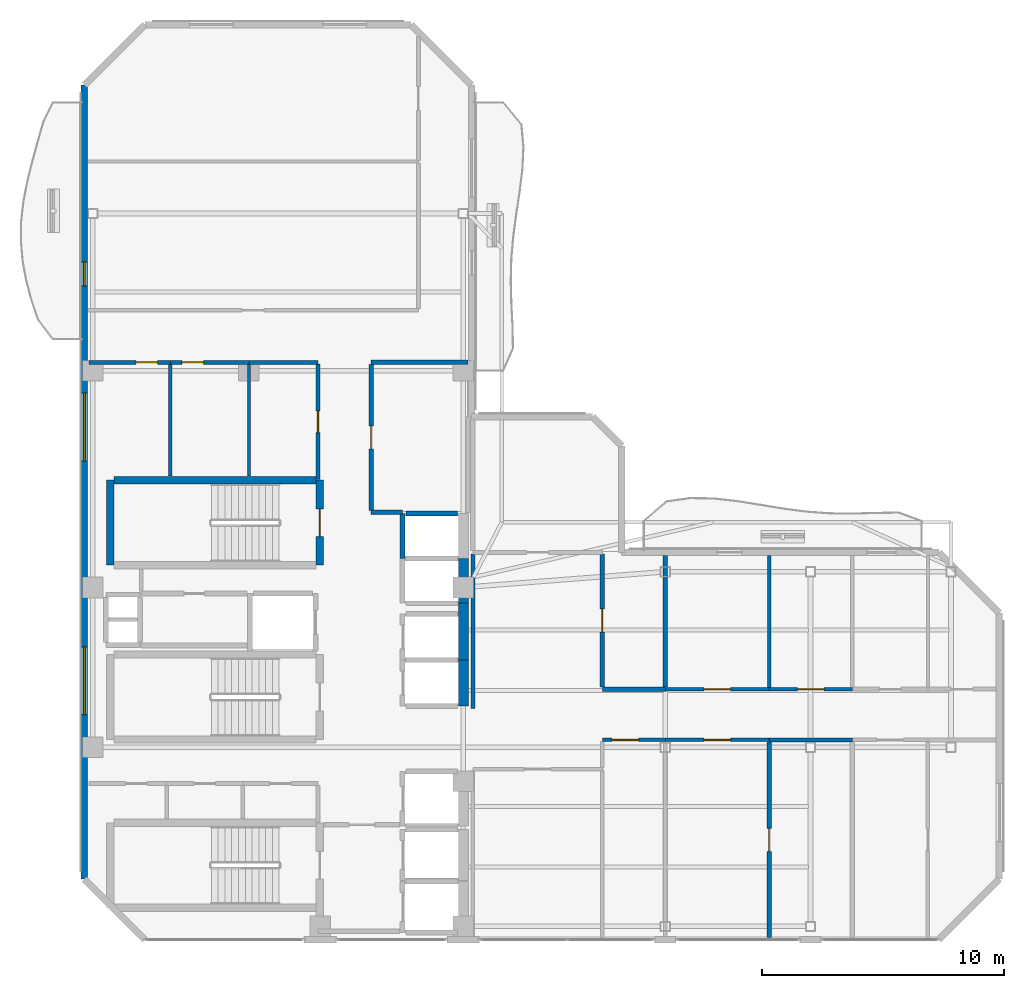
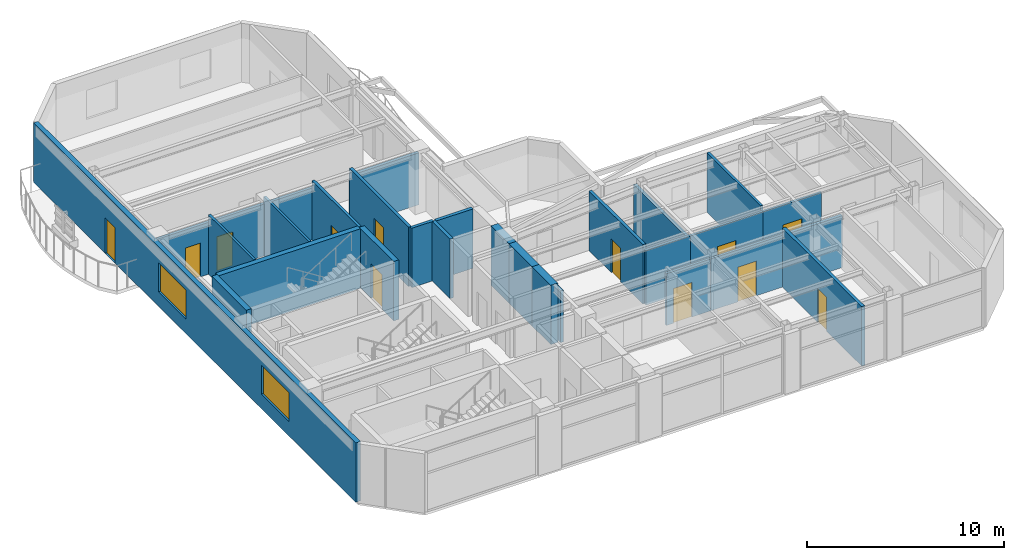
# One storey, part 10 of 15: 29 walls, 12 doors, 2 windows, 14 openings.
"""IFC4 building model written with IfcOpenShell, lengths in metres."""

from ifc_helpers import new_model, si_unit, direction, frame, frame_2d, origin, place, context, subcontext, project, spatial, rectangle, extrude, material, layer, layer_set, type_object, element, fill, save


model = new_model("IFC4")

# Units and contexts
model_context = context("Model", 3, precision=1e-05, world=origin(), true_north=direction((0.0, 1.0)))
body_context = subcontext(model_context, "Body", "Model", "MODEL_VIEW")
ifc_project = project(units=[si_unit("LENGTHUNIT", "METRE"), si_unit("AREAUNIT", "SQUARE_METRE"), si_unit("VOLUMEUNIT", "CUBIC_METRE"), si_unit("PLANEANGLEUNIT", "RADIAN"), si_unit("MASSUNIT", "GRAM", prefix="KILO")], contexts=[model_context])

# Site, building, storey
site_placement = place(None, origin())
site = spatial("IfcSite", under=ifc_project, at=site_placement, CompositionType="ELEMENT")
building_placement = place(site_placement, origin())
building = spatial("IfcBuilding", under=site, at=building_placement, Name="Mawjaban Terraces University", CompositionType="ELEMENT")
storey_placement = place(building_placement, frame((0.0, 0.0, 279.39990234375)))
storey = spatial("IfcBuildingStorey", under=building, at=storey_placement, Name="L68", CompositionType="ELEMENT", Elevation=279.39990234375)

# Walls
ifc_material_1 = material(Name="Acoustic masonry blockwork", Category="masonry")
ifc_layer_1 = layer(ifc_material_1, 0.179931640625)
ifc_layer_set_1 = layer_set([ifc_layer_1], Name="Acoustic masonry blockwork")
wall_type_1 = type_object("IfcWallType", Name="AcousticStudioWall_180", PredefinedType="PARTITIONING", material=ifc_layer_set_1)
wall_1_placement = place(storey_placement, frame((33.85009765625, 17.64990234375, 0.0), z_axis=(0.0, 0.0, 1.0), x_axis=(1.0, 0.0, 0.0)))
element("IfcWall", 1, at=wall_1_placement, inside=storey, type_object=wall_type_1, Name="L68 Graduate Research Collaboration Studio Partition 10", PredefinedType="PARTITIONING", context=body_context, shape_type="SweptSolid", body=[
    extrude(rectangle(XDim=1.2998046875, YDim=0.179931640625, at=frame_2d((0.64990234375, 0.0))), origin(), (0.0, 0.0, 1.0), 3.690185546875),
])
wall_2_placement = place(storey_placement, frame((37.85009765625, 23.85009765625, 0.0), z_axis=(0.0, 0.0, 1.0), x_axis=(-1.0, 0.0, 0.0)))
element("IfcWall", 2, at=wall_2_placement, inside=storey, type_object=wall_type_1, Name="L68 Graduate Research Collaboration Studio Partition 14", PredefinedType="PARTITIONING", context=body_context, shape_type="SweptSolid", body=[
    extrude(rectangle(XDim=4.0, YDim=0.179931640625, at=frame_2d((2.0, 0.0))), origin(), (0.0, 0.0, 1.0), 3.22119140625),
])
wall_3_placement = place(storey_placement, frame((46.0, 10.35009765625, 0.0), z_axis=(0.0, 0.0, 1.0), x_axis=(-1.0, 0.0, 0.0)))
element("IfcWall", 3, at=wall_3_placement, inside=storey, type_object=wall_type_1, Name="L68 Upper East Research Corridor Partition 19", PredefinedType="PARTITIONING", context=body_context, shape_type="SweptSolid", body=[
    extrude(rectangle(XDim=2.60009765625, YDim=0.179931640625, at=frame_2d((1.300048828125, 0.0))), origin(), (0.0, 0.0, 1.0), 3.3720703125),
])
wall_4_placement = place(storey_placement, frame((50.2900390625, 8.25, 0.0), z_axis=(0.0, 0.0, 1.0), x_axis=(1.0, 0.0, 0.0)))
element("IfcWall", 4, at=wall_4_placement, inside=storey, type_object=wall_type_1, Name="L68 Upper East Research Corridor Partition 20", PredefinedType="PARTITIONING", context=body_context, shape_type="SweptSolid", body=[
    extrude(rectangle(XDim=3.43994140625, YDim=0.179931640625, at=frame_2d((1.719970703125, 0.0))), origin(), (0.0, 0.0, 1.0), 3.22119140625),
])

# Wall, opening, door
wall_5_placement = place(storey_placement, frame((33.85009765625, 17.735107421875, 0.0), z_axis=(0.0, 0.0, 1.0), x_axis=(0.0, 1.0, 0.0)))
wall_5 = element("IfcWall", 5, at=wall_5_placement, inside=storey, type_object=wall_type_1, Name="L68 Core North Lift Lobby Partition 34", PredefinedType="PARTITIONING", context=body_context, shape_type="SweptSolid", body=[
    extrude(rectangle(XDim=6.02978515625, YDim=0.179931640625, at=frame_2d((3.014892578125, 0.0))), origin(), (0.0, 0.0, 1.0), 3.690185546875),
])
opening_1_placement = place(wall_5_placement, frame((2.5400390625, 0.0, 0.0)))
opening_1 = element("IfcOpeningElement", 6, at=opening_1_placement, cuts=wall_5, Name="Opening ID-095", PredefinedType="OPENING", context=body_context, shape_type="SweptSolid", body=[
    extrude(rectangle(XDim=0.949951171875, YDim=2.10009765625, at=frame_2d((0.47509765625, 1.050048828125))), frame((0.0, 0.099853515625, 0.0), z_axis=(0.0, -1.0, 0.0), x_axis=(1.0, 0.0, 0.0)), (0.0, 0.0, 1.0), 0.199951171875),
])
ifc_material_2 = material(Name="Powder-coated steel frame and solid acoustic timber leaf", Category="steel")
door_type_1 = type_object("IfcDoorType", Name="StudioDoor_950x2100", OperationType="NOTDEFINED", PredefinedType="DOOR", material=ifc_material_2)
door_1_placement = place(opening_1_placement, origin())
door_1 = element("IfcDoor", 7, at=door_1_placement, inside=storey, type_object=door_type_1, Name="L68 Graduate Research Collaboration Studio Door", OperationType="SINGLE_SWING_RIGHT", OverallHeight=2.10009765625, OverallWidth=0.949951171875, PredefinedType="DOOR", context=body_context, shape_type="SweptSolid", body=[
    extrude(rectangle(XDim=0.949951171875, YDim=2.10009765625, at=frame_2d((0.47509765625, 1.050048828125))), frame((0.0, 0.02490234375, 0.0), z_axis=(0.0, -1.0, 0.0), x_axis=(1.0, 0.0, 0.0)), (0.0, 0.0, 1.0), 0.050048828125),
])
fill(opening_1, door_1)

wall_6_placement = place(storey_placement, frame((43.39990234375, 10.43505859375, 0.0), z_axis=(0.0, 0.0, 1.0), x_axis=(0.0, 1.0, 0.0)))
wall_6 = element("IfcWall", 8, at=wall_6_placement, inside=storey, type_object=wall_type_1, Name="L68 Upper Research Hub Concourse Partition 43", PredefinedType="PARTITIONING", context=body_context, shape_type="SweptSolid", body=[
    extrude(rectangle(XDim=5.489990234375, YDim=0.179931640625, at=frame_2d((2.7451171875, 0.0))), origin(), (0.0, 0.0, 1.0), 3.690185546875),
])
opening_2_placement = place(wall_6_placement, frame((2.27001953125, 0.0, 0.0)))
opening_2 = element("IfcOpeningElement", 9, at=opening_2_placement, cuts=wall_6, Name="Opening ID-095", PredefinedType="OPENING", context=body_context, shape_type="SweptSolid", body=[
    extrude(rectangle(XDim=0.949951171875, YDim=2.10009765625, at=frame_2d((0.47509765625, 1.050048828125))), frame((0.0, 0.099853515625, 0.0), z_axis=(0.0, -1.0, 0.0), x_axis=(1.0, 0.0, 0.0)), (0.0, 0.0, 1.0), 0.199951171875),
])
door_2_placement = place(opening_2_placement, origin())
door_2 = element("IfcDoor", 10, at=door_2_placement, inside=storey, type_object=door_type_1, Name="L68 Design Studio 3 Door", OperationType="SINGLE_SWING_RIGHT", OverallHeight=2.10009765625, OverallWidth=0.949951171875, PredefinedType="DOOR", context=body_context, shape_type="SweptSolid", body=[
    extrude(rectangle(XDim=0.949951171875, YDim=2.10009765625, at=frame_2d((0.47509765625, 1.050048828125))), frame((0.0, 0.02490234375, 0.0), z_axis=(0.0, -1.0, 0.0), x_axis=(1.0, 0.0, 0.0)), (0.0, 0.0, 1.0), 0.050048828125),
])
fill(opening_2, door_2)

# Wall
wall_7_placement = place(storey_placement, frame((46.0, 10.43505859375, 0.0), z_axis=(0.0, 0.0, 1.0), x_axis=(0.0, 1.0, 0.0)))
element("IfcWall", 11, at=wall_7_placement, inside=storey, type_object=wall_type_1, Name="L68 Design Studio 3 Partition 45", PredefinedType="PARTITIONING", context=body_context, shape_type="SweptSolid", body=[
    extrude(rectangle(XDim=5.431884765625, YDim=0.179931640625, at=frame_2d((2.7158203125, 0.0))), origin(), (0.0, 0.0, 1.0), 3.22119140625),
])

# Wall, opening, door
wall_8_placement = place(storey_placement, frame((50.2900390625, 0.090087890625, 0.0), z_axis=(0.0, 0.0, 1.0), x_axis=(0.0, 1.0, 0.0)))
wall_8 = element("IfcWall", 12, at=wall_8_placement, inside=storey, type_object=wall_type_1, Name="L68 Computational Laboratory 4 Partition 46", PredefinedType="PARTITIONING", context=body_context, shape_type="SweptSolid", body=[
    extrude(rectangle(XDim=8.074951171875, YDim=0.179931640625, at=frame_2d((4.03759765625, 0.0))), origin(), (0.0, 0.0, 1.0), 3.690185546875),
])
opening_3_placement = place(wall_8_placement, frame((3.56201171875, 0.0, 0.0)))
opening_3 = element("IfcOpeningElement", 13, at=opening_3_placement, cuts=wall_8, Name="Opening ID-095", PredefinedType="OPENING", context=body_context, shape_type="SweptSolid", body=[
    extrude(rectangle(XDim=0.949951171875, YDim=2.10009765625, at=frame_2d((0.47509765625, 1.050048828125))), frame((0.0, 0.099853515625, 0.0), z_axis=(0.0, -1.0, 0.0), x_axis=(1.0, 0.0, 0.0)), (0.0, 0.0, 1.0), 0.199951171875),
])
door_3_placement = place(opening_3_placement, origin())
door_3 = element("IfcDoor", 14, at=door_3_placement, inside=storey, type_object=door_type_1, Name="L68 Design Studio 6 Door", OperationType="SINGLE_SWING_LEFT", OverallHeight=2.10009765625, OverallWidth=0.949951171875, PredefinedType="DOOR", context=body_context, shape_type="SweptSolid", body=[
    extrude(rectangle(XDim=0.949951171875, YDim=2.10009765625, at=frame_2d((0.47509765625, 1.050048828125))), frame((0.0, 0.02490234375, 0.0), z_axis=(0.0, -1.0, 0.0), x_axis=(1.0, 0.0, 0.0)), (0.0, 0.0, 1.0), 0.050048828125),
])
fill(opening_3, door_3)

# Walls
ifc_material_3 = material(Name="Concrete C50/60", Category="concrete")
ifc_layer_2 = layer(ifc_material_3, 0.419921875)
ifc_layer_set_2 = layer_set([ifc_layer_2], Name="Concrete C50/60")
wall_type_2 = type_object("IfcWallType", Name="CoreShearWall_420", PredefinedType="SHEAR", material=ifc_layer_set_2)
wall_9_placement = place(storey_placement, frame((37.659912109375, 9.64990234375, 0.0), z_axis=(0.0, 0.0, 1.0), x_axis=(0.0, 1.0, 0.0)))
element("IfcWall", 15, at=wall_9_placement, inside=storey, type_object=wall_type_2, Name="L68 Lift PL-H1 Hoistway Wall East", PredefinedType="SHEAR", context=body_context, shape_type="SweptSolid", body=[
    extrude(rectangle(XDim=1.900146484375, YDim=0.419921875, at=frame_2d((0.9501953125, 0.0))), origin(), (0.0, 0.0, 1.0), 3.690185546875),
])
wall_10_placement = place(storey_placement, frame((37.659912109375, 11.550048828125, 0.0), z_axis=(0.0, 0.0, 1.0), x_axis=(0.0, 1.0, 0.0)))
element("IfcWall", 16, at=wall_10_placement, inside=storey, type_object=wall_type_2, Name="L68 Lift PL-H2 Hoistway Wall East", PredefinedType="SHEAR", context=body_context, shape_type="SweptSolid", body=[
    extrude(rectangle(XDim=2.349853515625, YDim=0.419921875, at=frame_2d((1.1748046875, 0.0))), origin(), (0.0, 0.0, 1.0), 3.690185546875),
])
wall_11_placement = place(storey_placement, frame((37.659912109375, 13.89990234375, 0.0), z_axis=(0.0, 0.0, 1.0), x_axis=(0.0, 1.0, 0.0)))
element("IfcWall", 17, at=wall_11_placement, inside=storey, type_object=wall_type_2, Name="L68 Lift OL-1 Hoistway Wall East", PredefinedType="SHEAR", context=body_context, shape_type="SweptSolid", body=[
    extrude(rectangle(XDim=1.85009765625, YDim=0.419921875, at=frame_2d((0.925048828125, 0.0))), origin(), (0.0, 0.0, 1.0), 3.690185546875),
])

# Wall, opening, door
ifc_material_4 = material(Name="Fire-rated gypsum board on steel stud", Category="steel")
ifc_layer_3 = layer(ifc_material_4, 0.159912109375)
ifc_layer_set_3 = layer_set([ifc_layer_3], Name="Fire-rated gypsum board on steel stud")
wall_type_3 = type_object("IfcWallType", Name="CorridorPartition_160", PredefinedType="PARTITIONING", material=ifc_layer_set_3)
wall_12_placement = place(storey_placement, frame((25.550048828125, 23.85009765625, 0.0), z_axis=(0.0, 0.0, 1.0), x_axis=(-1.0, 0.0, 0.0)))
wall_12 = element("IfcWall", 18, at=wall_12_placement, inside=storey, type_object=wall_type_3, Name="L68 Ablution Room Partition 5", PredefinedType="PARTITIONING", context=body_context, shape_type="SweptSolid", body=[
    extrude(rectangle(XDim=3.35009765625, YDim=0.159912109375, at=frame_2d((1.675048828125, 0.0))), origin(), (0.0, 0.0, 1.0), 3.22119140625),
])
opening_4_placement = place(wall_12_placement, frame((0.534912109375, 0.0, 0.0)))
opening_4 = element("IfcOpeningElement", 19, at=opening_4_placement, cuts=wall_12, Name="Opening ID-088", PredefinedType="OPENING", context=body_context, shape_type="SweptSolid", body=[
    extrude(rectangle(XDim=0.8798828125, YDim=2.10009765625, at=frame_2d((0.43994140625, 1.050048828125))), frame((0.0, 0.08984375, 0.0), z_axis=(0.0, -1.0, 0.0), x_axis=(1.0, 0.0, 0.0)), (0.0, 0.0, 1.0), 0.179931640625),
])
door_type_2 = type_object("IfcDoorType", Name="ToiletDoor_880x2100", OperationType="NOTDEFINED", PredefinedType="DOOR", material=ifc_material_2)
door_4_placement = place(opening_4_placement, origin())
door_4 = element("IfcDoor", 20, at=door_4_placement, inside=storey, type_object=door_type_2, Name="L68 Ablution Room Door", OperationType="SINGLE_SWING_RIGHT", OverallHeight=2.10009765625, OverallWidth=0.8798828125, PredefinedType="DOOR", context=body_context, shape_type="SweptSolid", body=[
    extrude(rectangle(XDim=0.8798828125, YDim=2.10009765625, at=frame_2d((0.43994140625, 1.050048828125))), frame((0.0, 0.02490234375, 0.0), z_axis=(0.0, -1.0, 0.0), x_axis=(1.0, 0.0, 0.0)), (0.0, 0.0, 1.0), 0.050048828125),
])
fill(opening_4, door_4)

wall_13_placement = place(storey_placement, frame((28.800048828125, 23.85009765625, 0.0), z_axis=(0.0, 0.0, 1.0), x_axis=(-1.0, 0.0, 0.0)))
wall_13 = element("IfcWall", 21, at=wall_13_placement, inside=storey, type_object=wall_type_3, Name="L68 Cleaner Store Partition 7", PredefinedType="PARTITIONING", context=body_context, shape_type="SweptSolid", body=[
    extrude(rectangle(XDim=3.25, YDim=0.159912109375, at=frame_2d((1.625, 0.0))), origin(), (0.0, 0.0, 1.0), 3.22119140625),
])
opening_5_placement = place(wall_13_placement, frame((1.875, 0.0, 0.0)))
opening_5 = element("IfcOpeningElement", 22, at=opening_5_placement, cuts=wall_13, Name="Opening ID-090", PredefinedType="OPENING", context=body_context, shape_type="SweptSolid", body=[
    extrude(rectangle(XDim=0.89990234375, YDim=2.10009765625, at=frame_2d((0.449951171875, 1.050048828125))), frame((0.0, 0.08984375, 0.0), z_axis=(0.0, -1.0, 0.0), x_axis=(1.0, 0.0, 0.0)), (0.0, 0.0, 1.0), 0.179931640625),
])
door_type_3 = type_object("IfcDoorType", Name="OfficeDoor_900x2100", OperationType="NOTDEFINED", PredefinedType="DOOR", material=ifc_material_2)
door_5_placement = place(opening_5_placement, origin())
door_5 = element("IfcDoor", 23, at=door_5_placement, inside=storey, type_object=door_type_3, Name="L68 Cleaner Store Door", OperationType="SINGLE_SWING_LEFT", OverallHeight=2.10009765625, OverallWidth=0.89990234375, PredefinedType="DOOR", context=body_context, shape_type="SweptSolid", body=[
    extrude(rectangle(XDim=0.89990234375, YDim=2.10009765625, at=frame_2d((0.449951171875, 1.050048828125))), frame((0.0, 0.02490234375, 0.0), z_axis=(0.0, -1.0, 0.0), x_axis=(1.0, 0.0, 0.0)), (0.0, 0.0, 1.0), 0.050048828125),
])
fill(opening_5, door_5)

# Wall
wall_14_placement = place(storey_placement, frame((31.64990234375, 23.85009765625, 0.0), z_axis=(0.0, 0.0, 1.0), x_axis=(-1.0, 0.0, 0.0)))
element("IfcWall", 24, at=wall_14_placement, inside=storey, type_object=wall_type_3, Name="L68 Faculty Academic Resource Office Partition 9", PredefinedType="PARTITIONING", context=body_context, shape_type="SweptSolid", body=[
    extrude(rectangle(XDim=2.849853515625, YDim=0.159912109375, at=frame_2d((1.4248046875, 0.0))), origin(), (0.0, 0.0, 1.0), 3.22119140625),
])

# Wall, opening, door
wall_15_placement = place(storey_placement, frame((31.64990234375, 19.010009765625, 0.0), z_axis=(0.0, 0.0, 1.0), x_axis=(0.0, 1.0, 0.0)))
wall_15 = element("IfcWall", 25, at=wall_15_placement, inside=storey, type_object=wall_type_3, Name="L68 Faculty Academic Resource Office Partition 33", PredefinedType="PARTITIONING", context=body_context, shape_type="SweptSolid", body=[
    extrude(rectangle(XDim=4.764892578125, YDim=0.159912109375, at=frame_2d((2.38232421875, 0.0))), origin(), (0.0, 0.0, 1.0), 3.690185546875),
])
opening_6_placement = place(wall_15_placement, frame((1.931884765625, 0.0, 0.0)))
opening_6 = element("IfcOpeningElement", 26, at=opening_6_placement, cuts=wall_15, Name="Opening ID-090", PredefinedType="OPENING", context=body_context, shape_type="SweptSolid", body=[
    extrude(rectangle(XDim=0.89990234375, YDim=2.10009765625, at=frame_2d((0.449951171875, 1.050048828125))), frame((0.0, 0.08984375, 0.0), z_axis=(0.0, -1.0, 0.0), x_axis=(1.0, 0.0, 0.0)), (0.0, 0.0, 1.0), 0.179931640625),
])
door_6_placement = place(opening_6_placement, origin())
door_6 = element("IfcDoor", 27, at=door_6_placement, inside=storey, type_object=door_type_3, Name="L68 Faculty Academic Resource Office Door", OperationType="SINGLE_SWING_LEFT", OverallHeight=2.10009765625, OverallWidth=0.89990234375, PredefinedType="DOOR", context=body_context, shape_type="SweptSolid", body=[
    extrude(rectangle(XDim=0.89990234375, YDim=2.10009765625, at=frame_2d((0.449951171875, 1.050048828125))), frame((0.0, 0.02490234375, 0.0), z_axis=(0.0, -1.0, 0.0), x_axis=(1.0, 0.0, 0.0)), (0.0, 0.0, 1.0), 0.050048828125),
])
fill(opening_6, door_6)

# Wall
wall_16_placement = place(storey_placement, frame((38.050048828125, 15.925048828125, 0.0), z_axis=(0.0, 0.0, 1.0), x_axis=(0.0, -1.0, 0.0)))
element("IfcWall", 28, at=wall_16_placement, inside=storey, type_object=wall_type_3, Name="L68 Upper Research Hub Concourse Partition 39", PredefinedType="PARTITIONING", context=body_context, shape_type="SweptSolid", body=[
    extrude(rectangle(XDim=6.375, YDim=0.159912109375, at=frame_2d((3.1875, 0.0))), origin(), (0.0, 0.0, 1.0), 3.22119140625),
])

# Wall, openings, door, windows
ifc_material_5 = material(Name="Insulated terracotta rainscreen on concrete backup C40/50", Category="masonry")
ifc_layer_4 = layer(ifc_material_5, 0.27490234375)
ifc_layer_set_4 = layer_set([ifc_layer_4], Name="Insulated terracotta rainscreen on concrete backup C40/50")
wall_type_4 = type_object("IfcWallType", Name="ExtTerracottaWall_275", PredefinedType="SOLIDWALL", material=ifc_layer_set_4)
wall_17_placement = place(storey_placement, frame((22.0, 35.300048828125, 0.0), z_axis=(0.0, 0.0, 1.0), x_axis=(0.0, -1.0, 0.0)))
wall_17 = element("IfcWall", 29, at=wall_17_placement, inside=storey, type_object=wall_type_4, Name="L68 Exterior Terracotta Wall 13", PredefinedType="SOLIDWALL", context=body_context, shape_type="SweptSolid", body=[
    extrude(rectangle(XDim=32.800048828125, YDim=0.27490234375, at=frame_2d((16.39990234375, 0.0))), origin(), (0.0, 0.0, 1.0), 3.690185546875),
])
opening_7_placement = place(wall_17_placement, frame((7.300048828125, 0.0, 0.0)))
opening_7 = element("IfcOpeningElement", 30, at=opening_7_placement, cuts=wall_17, Name="Opening BD-100", PredefinedType="OPENING", context=body_context, shape_type="SweptSolid", body=[
    extrude(rectangle(XDim=1.0, YDim=2.199951171875, at=frame_2d((0.5, 1.10009765625))), frame((0.0, 0.1474609375, 0.0), z_axis=(0.0, -1.0, 0.0), x_axis=(1.0, 0.0, 0.0)), (0.0, 0.0, 1.0), 0.294921875),
])
opening_8_placement = place(wall_17_placement, frame((12.717041015625, 0.0, 0.89990234375)))
opening_8 = element("IfcOpeningElement", 31, at=opening_8_placement, cuts=wall_17, Name="Opening W-09", PredefinedType="OPENING", context=body_context, shape_type="SweptSolid", body=[
    extrude(rectangle(XDim=2.800048828125, YDim=1.800048828125, at=frame_2d((1.39990234375, 0.89990234375))), frame((0.0, 0.1474609375, 0.0), z_axis=(0.0, -1.0, 0.0), x_axis=(1.0, 0.0, 0.0)), (0.0, 0.0, 1.0), 0.294921875),
])
opening_9_placement = place(wall_17_placement, frame((23.199951171875, 0.0, 0.89990234375)))
opening_9 = element("IfcOpeningElement", 32, at=opening_9_placement, cuts=wall_17, Name="Opening W-09", PredefinedType="OPENING", context=body_context, shape_type="SweptSolid", body=[
    extrude(rectangle(XDim=2.800048828125, YDim=1.800048828125, at=frame_2d((1.39990234375, 0.89990234375))), frame((0.0, 0.1474609375, 0.0), z_axis=(0.0, -1.0, 0.0), x_axis=(1.0, 0.0, 0.0)), (0.0, 0.0, 1.0), 0.294921875),
])
ifc_material_6 = material(Name="Thermally broken anodised aluminium and laminated safety glass", Category="aluminium")
door_type_4 = type_object("IfcDoorType", Name="BalconyGlazedDoor_1000x2200", OperationType="NOTDEFINED", PredefinedType="DOOR", material=ifc_material_6)
door_7_placement = place(opening_7_placement, origin())
door_7 = element("IfcDoor", 33, at=door_7_placement, inside=storey, type_object=door_type_4, Name="L68 Balcony Access Door west", OperationType="SINGLE_SWING_LEFT", OverallHeight=2.199951171875, OverallWidth=1.0, PredefinedType="DOOR", context=body_context, shape_type="SweptSolid", body=[
    extrude(rectangle(XDim=1.0, YDim=2.199951171875, at=frame_2d((0.5, 1.10009765625))), frame((0.0, 0.02490234375, 0.0), z_axis=(0.0, -1.0, 0.0), x_axis=(1.0, 0.0, 0.0)), (0.0, 0.0, 1.0), 0.050048828125),
])
fill(opening_7, door_7)
ifc_material_7 = material(Name="Low-E solar-control double glazing in thermally broken aluminium frame", Category="aluminium")
window_type = type_object("IfcWindowType", Name="Win_2800x1800", PartitioningType="SINGLE_PANEL", PredefinedType="WINDOW", material=ifc_material_7)
window_1_placement = place(opening_8_placement, origin())
window_1 = element("IfcWindow", 34, at=window_1_placement, inside=storey, type_object=window_type, Name="L68 Facade Window 13.3", OverallHeight=1.800048828125, OverallWidth=2.800048828125, PartitioningType="SINGLE_PANEL", PredefinedType="WINDOW", context=body_context, shape_type="SweptSolid", body=[
    extrude(rectangle(XDim=2.800048828125, YDim=1.800048828125, at=frame_2d((1.39990234375, 0.89990234375))), frame((0.0, 0.030029296875, 0.0), z_axis=(0.0, -1.0, 0.0), x_axis=(1.0, 0.0, 0.0)), (0.0, 0.0, 1.0), 0.06005859375),
])
fill(opening_8, window_1)
window_2_placement = place(opening_9_placement, origin())
window_2 = element("IfcWindow", 35, at=window_2_placement, inside=storey, type_object=window_type, Name="L68 Facade Window 13.5", OverallHeight=1.800048828125, OverallWidth=2.800048828125, PartitioningType="SINGLE_PANEL", PredefinedType="WINDOW", context=body_context, shape_type="SweptSolid", body=[
    extrude(rectangle(XDim=2.800048828125, YDim=1.800048828125, at=frame_2d((1.39990234375, 0.89990234375))), frame((0.0, 0.030029296875, 0.0), z_axis=(0.0, -1.0, 0.0), x_axis=(1.0, 0.0, 0.0)), (0.0, 0.0, 1.0), 0.06005859375),
])
fill(opening_9, window_2)

# Walls
ifc_material_8 = material(Name="Concrete C40/50", Category="concrete")
ifc_layer_5 = layer(ifc_material_8, 0.199951171875)
ifc_layer_set_5 = layer_set([ifc_layer_5], Name="Concrete C40/50")
wall_type_5 = type_object("IfcWallType", Name="FireLobbyWall_200", PredefinedType="SOLIDWALL", material=ifc_layer_set_5)
wall_18_placement = place(storey_placement, frame((35.14990234375, 17.60009765625, 0.0), z_axis=(0.0, 0.0, 1.0), x_axis=(0.0, -1.0, 0.0)))
element("IfcWall", 36, at=wall_18_placement, inside=storey, type_object=wall_type_5, Name="L68 Lift OL-2 Hoistway Wall West", PredefinedType="SOLIDWALL", context=body_context, shape_type="SweptSolid", body=[
    extrude(rectangle(XDim=1.85009765625, YDim=0.199951171875, at=frame_2d((0.925048828125, 0.0))), origin(), (0.0, 0.0, 1.0), 3.690185546875),
])
wall_19_placement = place(storey_placement, frame((37.419921875, 17.60009765625, 0.0), z_axis=(0.0, 0.0, 1.0), x_axis=(-1.0, 0.0, 0.0)))
element("IfcWall", 37, at=wall_19_placement, inside=storey, type_object=wall_type_5, Name="L68 Lift OL-2 Hoistway Wall North", PredefinedType="SOLIDWALL", context=body_context, shape_type="SweptSolid", body=[
    extrude(rectangle(XDim=2.139892578125, YDim=0.199951171875, at=frame_2d((1.06982421875, 0.0))), origin(), (0.0, 0.0, 1.0), 3.690185546875),
])

# Wall, opening, door
ifc_material_9 = material(Name="Moisture-resistant gypsum board on steel stud", Category="steel")
ifc_layer_6 = layer(ifc_material_9, 0.14501953125)
ifc_layer_set_6 = layer_set([ifc_layer_6], Name="Moisture-resistant gypsum board on steel stud")
wall_type_6 = type_object("IfcWallType", Name="LabPartition_145", PredefinedType="PARTITIONING", material=ifc_layer_set_6)
wall_20_placement = place(storey_placement, frame((43.39990234375, 8.25, 0.0), z_axis=(0.0, 0.0, 1.0), x_axis=(1.0, 0.0, 0.0)))
wall_20 = element("IfcWall", 38, at=wall_20_placement, inside=storey, type_object=wall_type_6, Name="L68 Upper East Research Corridor Partition 16", PredefinedType="PARTITIONING", context=body_context, shape_type="SweptSolid", body=[
    extrude(rectangle(XDim=2.60009765625, YDim=0.14501953125, at=frame_2d((1.300048828125, 0.0))), origin(), (0.0, 0.0, 1.0), 3.22119140625),
])
opening_10_placement = place(wall_20_placement, frame((0.39990234375, 0.0, 0.0)))
opening_10 = element("IfcOpeningElement", 39, at=opening_10_placement, cuts=wall_20, Name="Opening ID-110", PredefinedType="OPENING", context=body_context, shape_type="SweptSolid", body=[
    extrude(rectangle(XDim=1.10009765625, YDim=2.14990234375, at=frame_2d((0.550048828125, 1.074951171875))), frame((0.0, 0.08251953125, 0.0), z_axis=(0.0, -1.0, 0.0), x_axis=(1.0, 0.0, 0.0)), (0.0, 0.0, 1.0), 0.1650390625),
])
door_type_5 = type_object("IfcDoorType", Name="LabDoor_1100x2150", OperationType="NOTDEFINED", PredefinedType="DOOR", material=ifc_material_2)
door_8_placement = place(opening_10_placement, origin())
door_8 = element("IfcDoor", 40, at=door_8_placement, inside=storey, type_object=door_type_5, Name="L68 Teaching Laboratory 2 Door", OperationType="SINGLE_SWING_LEFT", OverallHeight=2.14990234375, OverallWidth=1.10009765625, PredefinedType="DOOR", context=body_context, shape_type="SweptSolid", body=[
    extrude(rectangle(XDim=1.10009765625, YDim=2.14990234375, at=frame_2d((0.550048828125, 1.074951171875))), frame((0.0, 0.02490234375, 0.0), z_axis=(0.0, -1.0, 0.0), x_axis=(1.0, 0.0, 0.0)), (0.0, 0.0, 1.0), 0.050048828125),
])
fill(opening_10, door_8)

wall_21_placement = place(storey_placement, frame((46.0, 8.25, 0.0), z_axis=(0.0, 0.0, 1.0), x_axis=(1.0, 0.0, 0.0)))
wall_21 = element("IfcWall", 41, at=wall_21_placement, inside=storey, type_object=wall_type_6, Name="L68 Upper East Research Corridor Partition 18", PredefinedType="PARTITIONING", context=body_context, shape_type="SweptSolid", body=[
    extrude(rectangle(XDim=4.2900390625, YDim=0.14501953125, at=frame_2d((2.14501953125, 0.0))), origin(), (0.0, 0.0, 1.0), 3.22119140625),
])
opening_11_placement = place(wall_21_placement, frame((1.594970703125, 0.0, 0.0)))
opening_11 = element("IfcOpeningElement", 42, at=opening_11_placement, cuts=wall_21, Name="Opening ID-110", PredefinedType="OPENING", context=body_context, shape_type="SweptSolid", body=[
    extrude(rectangle(XDim=1.10009765625, YDim=2.14990234375, at=frame_2d((0.550048828125, 1.074951171875))), frame((0.0, 0.08251953125, 0.0), z_axis=(0.0, -1.0, 0.0), x_axis=(1.0, 0.0, 0.0)), (0.0, 0.0, 1.0), 0.1650390625),
])
door_9_placement = place(opening_11_placement, origin())
door_9 = element("IfcDoor", 43, at=door_9_placement, inside=storey, type_object=door_type_5, Name="L68 Computational Laboratory 4 Door", OperationType="SINGLE_SWING_LEFT", OverallHeight=2.14990234375, OverallWidth=1.10009765625, PredefinedType="DOOR", context=body_context, shape_type="SweptSolid", body=[
    extrude(rectangle(XDim=1.10009765625, YDim=2.14990234375, at=frame_2d((0.550048828125, 1.074951171875))), frame((0.0, 0.02490234375, 0.0), z_axis=(0.0, -1.0, 0.0), x_axis=(1.0, 0.0, 0.0)), (0.0, 0.0, 1.0), 0.050048828125),
])
fill(opening_11, door_9)

wall_22_placement = place(storey_placement, frame((50.2900390625, 10.35009765625, 0.0), z_axis=(0.0, 0.0, 1.0), x_axis=(-1.0, 0.0, 0.0)))
wall_22 = element("IfcWall", 44, at=wall_22_placement, inside=storey, type_object=wall_type_6, Name="L68 Upper East Research Corridor Partition 21", PredefinedType="PARTITIONING", context=body_context, shape_type="SweptSolid", body=[
    extrude(rectangle(XDim=4.2900390625, YDim=0.14501953125, at=frame_2d((2.14501953125, 0.0))), origin(), (0.0, 0.0, 1.0), 3.3720703125),
])
opening_12_placement = place(wall_22_placement, frame((1.594970703125, 0.0, 0.0)))
opening_12 = element("IfcOpeningElement", 45, at=opening_12_placement, cuts=wall_22, Name="Opening ID-110", PredefinedType="OPENING", context=body_context, shape_type="SweptSolid", body=[
    extrude(rectangle(XDim=1.10009765625, YDim=2.14990234375, at=frame_2d((0.550048828125, 1.074951171875))), frame((0.0, 0.08251953125, 0.0), z_axis=(0.0, -1.0, 0.0), x_axis=(1.0, 0.0, 0.0)), (0.0, 0.0, 1.0), 0.1650390625),
])
door_10_placement = place(opening_12_placement, origin())
door_10 = element("IfcDoor", 46, at=door_10_placement, inside=storey, type_object=door_type_5, Name="L68 Teaching Laboratory 5 Door", OperationType="SINGLE_SWING_RIGHT", OverallHeight=2.14990234375, OverallWidth=1.10009765625, PredefinedType="DOOR", context=body_context, shape_type="SweptSolid", body=[
    extrude(rectangle(XDim=1.10009765625, YDim=2.14990234375, at=frame_2d((0.550048828125, 1.074951171875))), frame((0.0, 0.02490234375, 0.0), z_axis=(0.0, -1.0, 0.0), x_axis=(1.0, 0.0, 0.0)), (0.0, 0.0, 1.0), 0.050048828125),
])
fill(opening_12, door_10)

wall_23_placement = place(storey_placement, frame((53.72998046875, 10.35009765625, 0.0), z_axis=(0.0, 0.0, 1.0), x_axis=(-1.0, 0.0, 0.0)))
wall_23 = element("IfcWall", 47, at=wall_23_placement, inside=storey, type_object=wall_type_6, Name="L68 Upper East Research Corridor Partition 23", PredefinedType="PARTITIONING", context=body_context, shape_type="SweptSolid", body=[
    extrude(rectangle(XDim=3.43994140625, YDim=0.14501953125, at=frame_2d((1.719970703125, 0.0))), origin(), (0.0, 0.0, 1.0), 3.3720703125),
])
opening_13_placement = place(wall_23_placement, frame((1.169921875, 0.0, 0.0)))
opening_13 = element("IfcOpeningElement", 48, at=opening_13_placement, cuts=wall_23, Name="Opening ID-110", PredefinedType="OPENING", context=body_context, shape_type="SweptSolid", body=[
    extrude(rectangle(XDim=1.10009765625, YDim=2.14990234375, at=frame_2d((0.550048828125, 1.074951171875))), frame((0.0, 0.08251953125, 0.0), z_axis=(0.0, -1.0, 0.0), x_axis=(1.0, 0.0, 0.0)), (0.0, 0.0, 1.0), 0.1650390625),
])
door_11_placement = place(opening_13_placement, origin())
door_11 = element("IfcDoor", 49, at=door_11_placement, inside=storey, type_object=door_type_5, Name="L68 Computational Laboratory 7 Door", OperationType="SINGLE_SWING_RIGHT", OverallHeight=2.14990234375, OverallWidth=1.10009765625, PredefinedType="DOOR", context=body_context, shape_type="SweptSolid", body=[
    extrude(rectangle(XDim=1.10009765625, YDim=2.14990234375, at=frame_2d((0.550048828125, 1.074951171875))), frame((0.0, 0.02490234375, 0.0), z_axis=(0.0, -1.0, 0.0), x_axis=(1.0, 0.0, 0.0)), (0.0, 0.0, 1.0), 0.050048828125),
])
fill(opening_13, door_11)

# Walls
wall_24_placement = place(storey_placement, frame((50.2900390625, 10.41796875, 0.0), z_axis=(0.0, 0.0, 1.0), x_axis=(0.0, 1.0, 0.0)))
element("IfcWall", 50, at=wall_24_placement, inside=storey, type_object=wall_type_6, Name="L68 Teaching Laboratory 5 Partition 47", PredefinedType="PARTITIONING", context=body_context, shape_type="SweptSolid", body=[
    extrude(rectangle(XDim=5.448974609375, YDim=0.14501953125, at=frame_2d((2.724609375, 0.0))), origin(), (0.0, 0.0, 1.0), 3.690185546875),
])
ifc_material_10 = material(Name="Gypsum plasterboard on steel stud", Category="steel")
ifc_layer_7 = layer(ifc_material_10, 0.125)
ifc_layer_set_7 = layer_set([ifc_layer_7], Name="Gypsum plasterboard on steel stud")
wall_type_7 = type_object("IfcWallType", Name="OfficePartition_125", PredefinedType="PARTITIONING", material=ifc_layer_set_7)
wall_25_placement = place(storey_placement, frame((28.800048828125, 23.77490234375, 0.0), z_axis=(0.0, 0.0, 1.0), x_axis=(0.0, -1.0, 0.0)))
element("IfcWall", 51, at=wall_25_placement, inside=storey, type_object=wall_type_7, Name="L68 Faculty Academic Resource Office Partition 31", PredefinedType="PARTITIONING", context=body_context, shape_type="SweptSolid", body=[
    extrude(rectangle(XDim=4.614990234375, YDim=0.125, at=frame_2d((2.3076171875, 0.0))), origin(), (0.0, 0.0, 1.0), 3.690185546875),
])
ifc_material_11 = material(Name="Concrete C60/75", Category="concrete")
ifc_layer_8 = layer(ifc_material_11, 0.300048828125)
ifc_layer_set_8 = layer_set([ifc_layer_8], Name="Concrete C60/75")
wall_type_8 = type_object("IfcWallType", Name="StairShaftWall_300", PredefinedType="SHEAR", material=ifc_layer_set_8)
wall_26_placement = place(storey_placement, frame((31.580078125, 18.97998046875, 0.0), z_axis=(0.0, 0.0, 1.0), x_axis=(-1.0, 0.0, 0.0)))
element("IfcWall", 52, at=wall_26_placement, inside=storey, type_object=wall_type_8, Name="L68 ST-2 Stair Shaft Wall 1", PredefinedType="SHEAR", context=body_context, shape_type="SweptSolid", body=[
    extrude(rectangle(XDim=8.360107421875, YDim=0.300048828125, at=frame_2d((4.18017578125, 0.0))), origin(), (0.0, 0.0, 1.0), 3.690185546875),
])
wall_27_placement = place(storey_placement, frame((23.070068359375, 18.97998046875, 0.0), z_axis=(0.0, 0.0, 1.0), x_axis=(0.0, -1.0, 0.0)))
element("IfcWall", 53, at=wall_27_placement, inside=storey, type_object=wall_type_8, Name="L68 ST-2 Stair Shaft Wall 2", PredefinedType="SHEAR", context=body_context, shape_type="SweptSolid", body=[
    extrude(rectangle(XDim=3.510009765625, YDim=0.300048828125, at=frame_2d((1.7548828125, 0.0))), origin(), (0.0, 0.0, 1.0), 3.690185546875),
])

# Wall, opening, door
wall_28_placement = place(storey_placement, frame((31.72998046875, 15.469970703125, 0.0), z_axis=(0.0, 0.0, 1.0), x_axis=(0.0, 1.0, 0.0)))
wall_28 = element("IfcWall", 54, at=wall_28_placement, inside=storey, type_object=wall_type_8, Name="L68 ST-2 Stair Shaft Wall 4", PredefinedType="SHEAR", context=body_context, shape_type="SweptSolid", body=[
    extrude(rectangle(XDim=3.510009765625, YDim=0.300048828125, at=frame_2d((1.7548828125, 0.0))), origin(), (0.0, 0.0, 1.0), 3.690185546875),
])
opening_14_placement = place(wall_28_placement, frame((1.179931640625, 0.0, 0.0)))
opening_14 = element("IfcOpeningElement", 55, at=opening_14_placement, cuts=wall_28, Name="Opening FD-115", PredefinedType="OPENING", context=body_context, shape_type="SweptSolid", body=[
    extrude(rectangle(XDim=1.14990234375, YDim=2.14990234375, at=frame_2d((0.574951171875, 1.074951171875))), frame((0.0, 0.159912109375, 0.0), z_axis=(0.0, -1.0, 0.0), x_axis=(1.0, 0.0, 0.0)), (0.0, 0.0, 1.0), 0.320068359375),
])
ifc_material_12 = material(Name="Powder-coated steel frame and fire-rated steel-faced leaf", Category="steel")
door_type_6 = type_object("IfcDoorType", Name="FireStairDoor_1150x2150", OperationType="NOTDEFINED", PredefinedType="DOOR", material=ifc_material_12)
door_12_placement = place(opening_14_placement, origin())
door_12 = element("IfcDoor", 56, at=door_12_placement, inside=storey, type_object=door_type_6, Name="L68 ST-2 Pressurised Stair Fire Door", OperationType="SINGLE_SWING_LEFT", OverallHeight=2.14990234375, OverallWidth=1.14990234375, PredefinedType="DOOR", context=body_context, shape_type="SweptSolid", body=[
    extrude(rectangle(XDim=1.14990234375, YDim=2.14990234375, at=frame_2d((0.574951171875, 1.074951171875))), frame((0.0, 0.02490234375, 0.0), z_axis=(0.0, -1.0, 0.0), x_axis=(1.0, 0.0, 0.0)), (0.0, 0.0, 1.0), 0.050048828125),
])
fill(opening_14, door_12)

# Wall
ifc_material_13 = material(Name="Cement-board wet-room partition", Category="masonry")
ifc_layer_9 = layer(ifc_material_13, 0.135009765625)
ifc_layer_set_9 = layer_set([ifc_layer_9], Name="Cement-board wet-room partition")
wall_type_9 = type_object("IfcWallType", Name="WetRoomPartition_135", PredefinedType="PARTITIONING", material=ifc_layer_set_9)
wall_29_placement = place(storey_placement, frame((25.550048828125, 19.159912109375, 0.0), z_axis=(0.0, 0.0, 1.0), x_axis=(0.0, 1.0, 0.0)))
element("IfcWall", 57, at=wall_29_placement, inside=storey, type_object=wall_type_9, Name="L68 Ablution Room Partition 29", PredefinedType="PARTITIONING", context=body_context, shape_type="SweptSolid", body=[
    extrude(rectangle(XDim=4.614990234375, YDim=0.135009765625, at=frame_2d((2.3076171875, 0.0))), origin(), (0.0, 0.0, 1.0), 3.690185546875),
])

save(model, "model.ifc")
